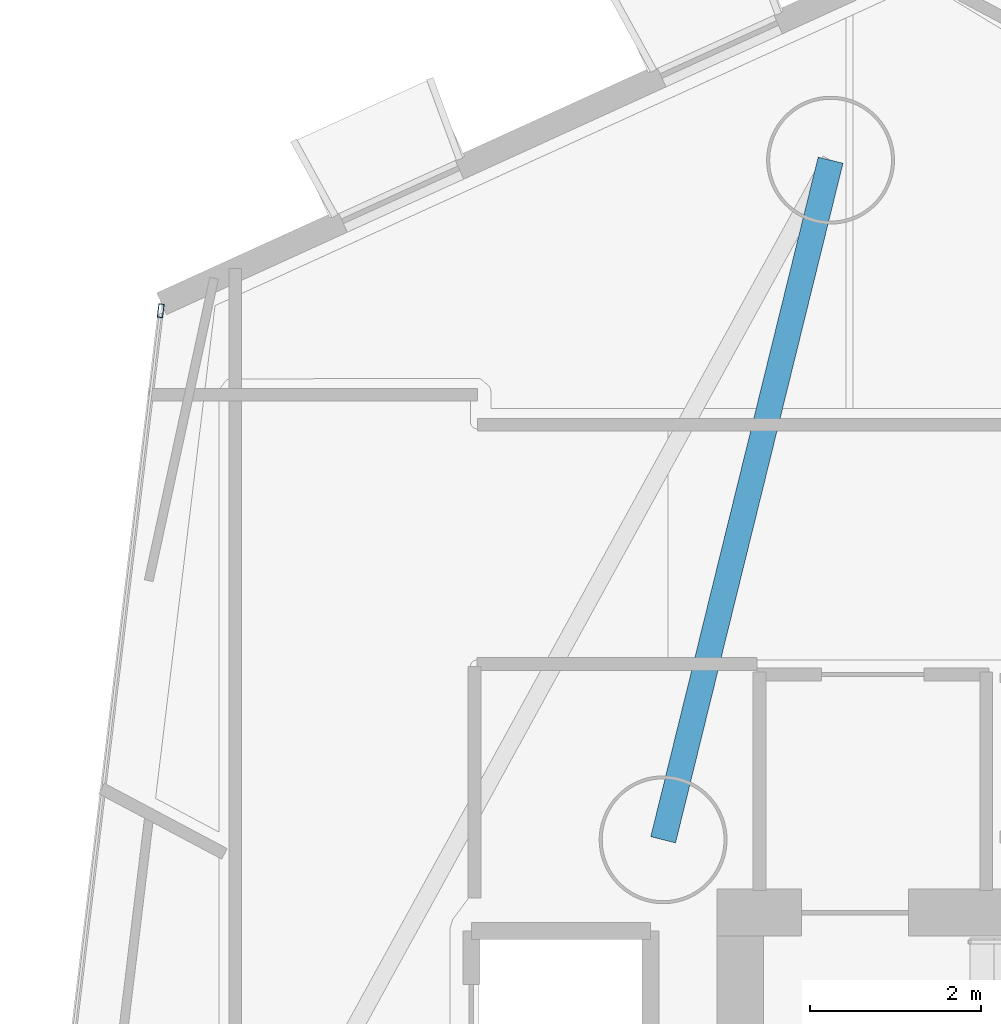
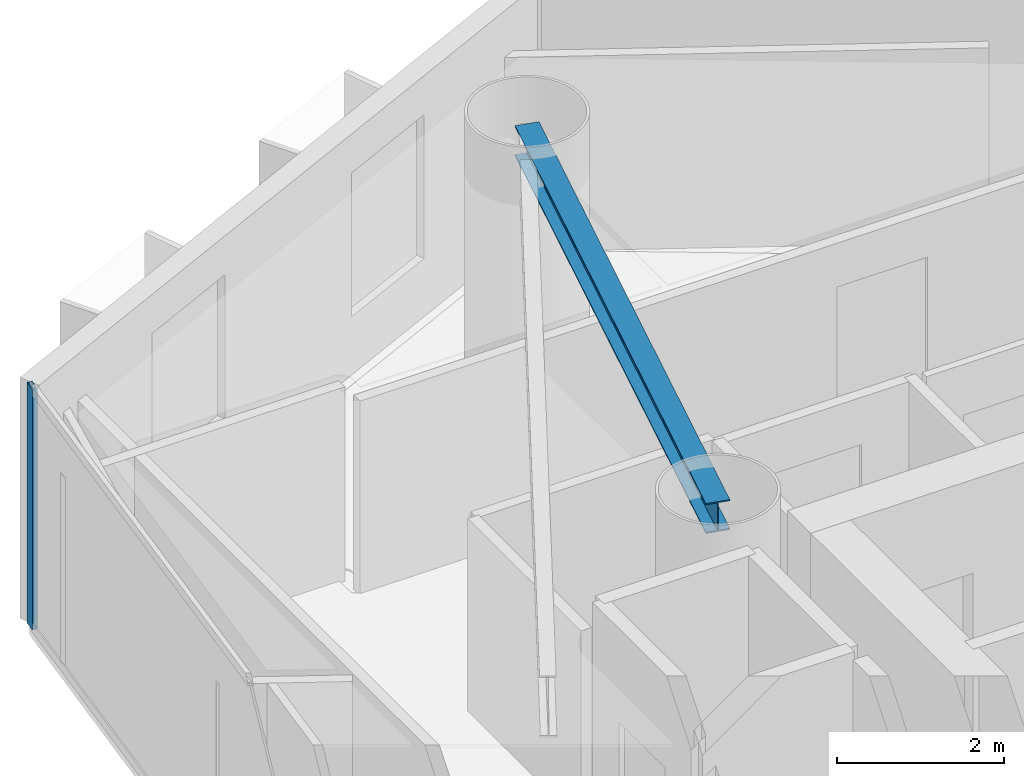
# One storey, part 8 of 18: 1 beam, 1 member, 1 element without a shape of its own.
"""IFC4 building model written with IfcOpenShell, lengths in metres."""

from ifc_helpers import new_model, si_unit, direction, frame, origin, origin_2d, place, context, subcontext, project, spatial, hollow_rectangle, i_section, extrude, material, layer, layer_set, material_profile, profile_set, type_object, element, aggregate, save


model = new_model("IFC4")

# Units and contexts
model_context = context("Model", 3, precision=1e-05, world=origin(), true_north=direction((0.0, 1.0)))
body_context = subcontext(model_context, "Body", "Model", "MODEL_VIEW")
ifc_project = project(units=[si_unit("LENGTHUNIT", "METRE"), si_unit("AREAUNIT", "SQUARE_METRE"), si_unit("VOLUMEUNIT", "CUBIC_METRE"), si_unit("PLANEANGLEUNIT", "RADIAN"), si_unit("MASSUNIT", "GRAM", prefix="KILO")], contexts=[model_context])

# Site, building, storey
site_placement = place(None, origin())
site = spatial("IfcSite", under=ifc_project, at=site_placement, CompositionType="ELEMENT")
building_placement = place(site_placement, origin())
building = spatial("IfcBuilding", under=site, at=building_placement, Name="Qianvela Tower", CompositionType="ELEMENT")
storey_placement = place(building_placement, frame((0.0, 0.0, 116.300048828125)))
storey = spatial("IfcBuildingStorey", under=building, at=storey_placement, Name="L29", CompositionType="ELEMENT", Elevation=116.300048828125)

# Beam
ifc_material_1 = material(Name="Steel Q355B", Category="steel")
ifc_material_profile_1 = material_profile(ifc_material_1, i_section(OverallWidth=0.300048828125, OverallDepth=0.43994140625, WebThickness=0.010986328125, FlangeThickness=0.01806640625, at=origin_2d()), Name="HM440x300x11x18")
ifc_profile_set_1 = profile_set([ifc_material_profile_1], Name="Steel Q355B")
beam_type = type_object("IfcBeamType", Name="BM-HM440-COLL", PredefinedType="BEAM", material=ifc_profile_set_1)
beam_placement = place(storey_placement, frame((28.60009765625, 33.550048828125, 3.2978515625), z_axis=(0.239224384232, 0.970964311388, 0.0), x_axis=(-0.970964311388, 0.239224384232, 0.0)))
element("IfcBeam", 1, at=beam_placement, inside=storey, type_object=beam_type, Name="L29 Perimeter Ring Tie Girder 2B", PredefinedType="BEAM", context=body_context, shape_type="SweptSolid", body=[
    extrude(i_section(OverallWidth=0.300048828125, OverallDepth=0.43994140625, WebThickness=0.010986328125, FlangeThickness=0.01806640625, at=origin_2d()), origin(), (0.0, 0.0, 1.0), 8.209228515625),
])

# Curtain wall, member
ifc_material_2 = material(Name="Anodised Architectural Aluminium and Low-E Glass", Category="aluminium")
ifc_layer = layer(ifc_material_2, 0.169921875)
ifc_layer_set = layer_set([ifc_layer], Name="Anodised Architectural Aluminium and Low-E Glass")
curtain_wall_type = type_object("IfcCurtainWallType", Name="CW-COLIV-Z34", PredefinedType="USERDEFINED", material=ifc_layer_set)
curtain_wall_placement = place(storey_placement, origin())
curtain_wall = element("IfcCurtainWall", 2, at=curtain_wall_placement, inside=storey, type_object=curtain_wall_type, Name="L29 CW-COLIV-Z34 Curtain Wall 04A", ObjectType="CURTAIN_WALL_SYSTEM", PredefinedType="USERDEFINED")
ifc_material_3 = material(Name="Anodised Architectural Aluminium 6063-T6", Category="aluminium")
ifc_material_profile_2 = material_profile(ifc_material_3, hollow_rectangle(XDim=0.06494140625, YDim=0.159912109375, WallThickness=0.0048828125, at=origin_2d()), Name="ALU-MULL-65x160")
ifc_profile_set_2 = profile_set([ifc_material_profile_2], Name="Anodised Architectural Aluminium 6063-T6")
member_type = type_object("IfcMemberType", Name="CW-COLIV-Z34-MULL", PredefinedType="MULLION", material=ifc_profile_set_2)
member_placement = place(storey_placement, frame((22.70751953125, 39.75537109375, 0.0), z_axis=(0.0, 0.0, 1.0), x_axis=(0.992799698454, -0.119786304516, 0.0)))
member = element("IfcMember", 3, at=member_placement, type_object=member_type, Name="CW-4 mullion 1", PredefinedType="MULLION", context=body_context, shape_type="SweptSolid", body=[
    extrude(hollow_rectangle(XDim=0.06494140625, YDim=0.159912109375, WallThickness=0.0048828125, at=origin_2d()), origin(), (0.0, 0.0, 1.0), 3.52001953125),
])
aggregate(curtain_wall, [member])

save(model, "model.ifc")
